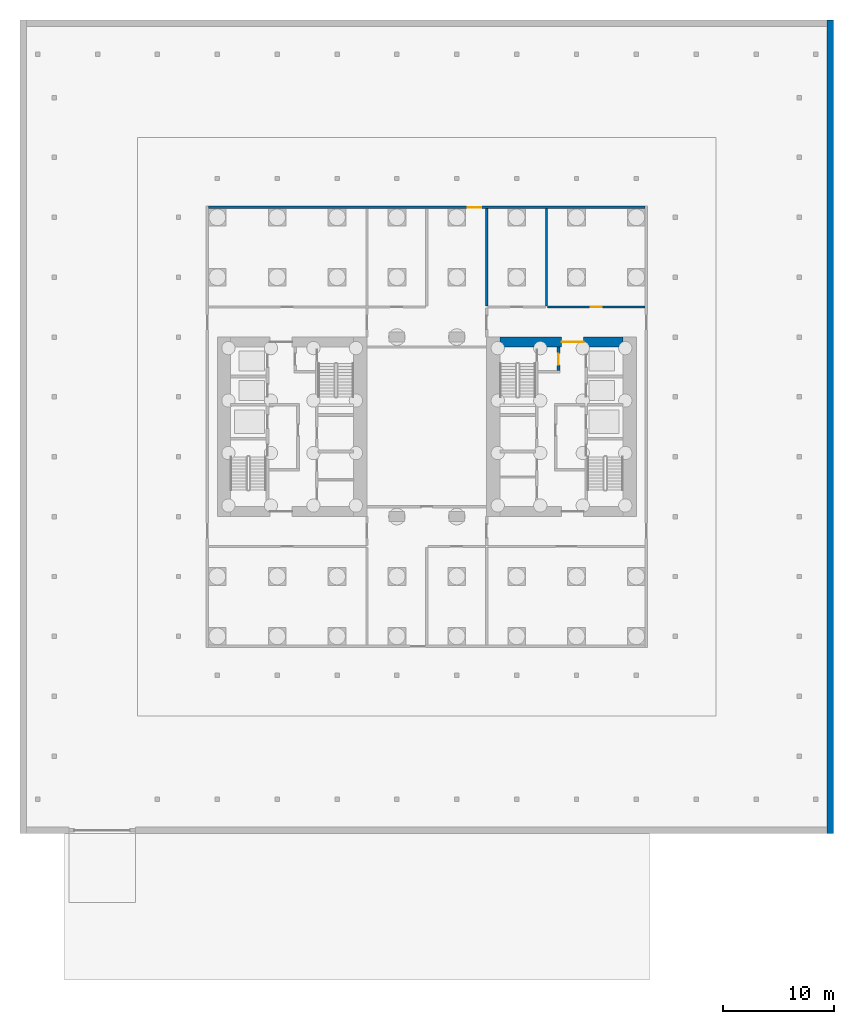
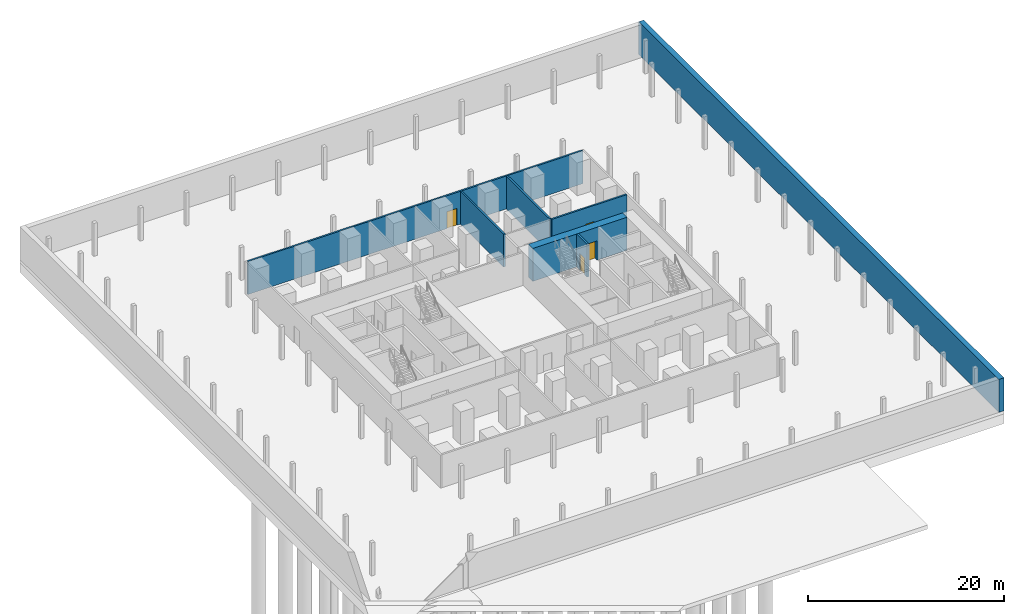
# One storey, part 5 of 8: 7 walls, 4 doors, 4 openings.
"""IFC4 building model written with IfcOpenShell, lengths in metres."""

from ifc_helpers import new_model, si_unit, direction, frame, frame_2d, origin, place, context, subcontext, project, spatial, rectangle, extrude, material, layer, layer_set, type_object, element, fill, save


model = new_model("IFC4")

# Units and contexts
model_context = context("Model", 3, precision=1e-05, world=origin(), true_north=direction((0.0, 1.0)))
body_context = subcontext(model_context, "Body", "Model", "MODEL_VIEW")
ifc_project = project(units=[si_unit("LENGTHUNIT", "METRE"), si_unit("AREAUNIT", "SQUARE_METRE"), si_unit("VOLUMEUNIT", "CUBIC_METRE"), si_unit("PLANEANGLEUNIT", "RADIAN"), si_unit("MASSUNIT", "GRAM", prefix="KILO")], contexts=[model_context])

# Site, building, storey
site_placement = place(None, origin())
site = spatial("IfcSite", under=ifc_project, at=site_placement, CompositionType="ELEMENT")
building_placement = place(site_placement, origin())
building = spatial("IfcBuilding", under=site, at=building_placement, Name="Tabaq Tower and Sports Hall", CompositionType="ELEMENT")
storey_placement = place(building_placement, frame((0.0, 0.0, -9.0)))
storey = spatial("IfcBuildingStorey", under=building, at=storey_placement, Name="B02", CompositionType="ELEMENT", Elevation=-9.0)

# Wall, opening, door
ifc_material_1 = material(Name="Blockwork", Category="masonry")
ifc_layer_1 = layer(ifc_material_1, 0.199951171875)
ifc_layer_set_1 = layer_set([ifc_layer_1], Name="Blockwork Wall 200 EI 120")
wall_type_1 = type_object("IfcWallType", Name="Blockwork Wall 200 EI 120", PredefinedType="PARTITIONING", material=ifc_layer_set_1)
wall_1_placement = place(storey_placement, frame((4.60009765625, 44.10009765625, 0.0), z_axis=(0.0, 0.0, 1.0), x_axis=(1.0, 0.0, 0.0)))
wall_1 = element("IfcWall", 1, at=wall_1_placement, inside=storey, type_object=wall_type_1, Name="Wall B02-02", PredefinedType="PARTITIONING", context=body_context, shape_type="SweptSolid", body=[
    extrude(rectangle(XDim=39.39990234375, YDim=0.199951171875, at=frame_2d((19.699951171875, 0.0))), origin(), (0.0, 0.0, 1.0), 4.10009765625),
])
opening_1_placement = place(wall_1_placement, frame((23.39990234375, 0.0, 0.0)))
opening_1 = element("IfcOpeningElement", 2, at=opening_1_placement, cuts=wall_1, Name="Opening B02-02", PredefinedType="OPENING", context=body_context, shape_type="SweptSolid", body=[
    extrude(rectangle(XDim=1.199951171875, YDim=2.10009765625, at=frame_2d((0.60009765625, 1.050048828125))), frame((0.0, 0.10986328125, 0.0), z_axis=(0.0, -1.0, 0.0), x_axis=(1.0, 0.0, 0.0)), (0.0, 0.0, 1.0), 0.219970703125),
])
ifc_material_2 = material(Name="Hollow metal fire door")
door_type_1 = type_object("IfcDoorType", Name="Basement Door 1200 FD120S", OperationType="SINGLE_SWING_LEFT", PredefinedType="DOOR", material=ifc_material_2)
door_1_placement = place(opening_1_placement, origin())
door_1 = element("IfcDoor", 3, at=door_1_placement, inside=storey, type_object=door_type_1, Name="Door B02-02", OperationType="SINGLE_SWING_LEFT", OverallHeight=2.10009765625, OverallWidth=1.199951171875, PredefinedType="DOOR", context=body_context, shape_type="SweptSolid", body=[
    extrude(rectangle(XDim=1.199951171875, YDim=2.10009765625, at=frame_2d((0.60009765625, 1.050048828125))), frame((0.0, 0.02490234375, 0.0), z_axis=(0.0, -1.0, 0.0), x_axis=(1.0, 0.0, 0.0)), (0.0, 0.0, 1.0), 0.050048828125),
])
fill(opening_1, door_1)

# Walls
for number, where, z_axis, x_axis, name in (
    (4, (29.699951171875, 35.199951171875, 0.0), (0.0, 0.0, 1.0), (0.0, 1.0, 0.0), "Wall B02-10"),
    (5, (35.10009765625, 35.199951171875, 0.0), (0.0, 0.0, 1.0), (0.0, 1.0, 0.0), "Wall B02-11"),
):
    element("IfcWall", number, at=place(storey_placement, frame(where, z_axis=z_axis, x_axis=x_axis)), inside=storey, type_object=wall_type_1, Name=name, PredefinedType="PARTITIONING", context=body_context, shape_type="SweptSolid", body=[
        extrude(rectangle(XDim=8.800048828125, YDim=0.199951171875, at=frame_2d((4.39990234375, 0.0))), origin(), (0.0, 0.0, 1.0), 4.10009765625),
    ])

# Wall, opening, door
wall_2_placement = place(storey_placement, frame((35.199951171875, 35.10009765625, 0.0), z_axis=(0.0, 0.0, 1.0), x_axis=(1.0, 0.0, 0.0)))
wall_2 = element("IfcWall", 6, at=wall_2_placement, inside=storey, type_object=wall_type_1, Name="Wall B02-18", PredefinedType="PARTITIONING", context=body_context, shape_type="SweptSolid", body=[
    extrude(rectangle(XDim=8.800048828125, YDim=0.199951171875, at=frame_2d((4.39990234375, 0.0))), origin(), (0.0, 0.0, 1.0), 4.10009765625),
])
opening_2_placement = place(wall_2_placement, frame((3.89990234375, 0.0, 0.0)))
opening_2 = element("IfcOpeningElement", 7, at=opening_2_placement, cuts=wall_2, Name="Opening B02-13", PredefinedType="OPENING", context=body_context, shape_type="SweptSolid", body=[
    extrude(rectangle(XDim=1.0, YDim=2.10009765625, at=frame_2d((0.5, 1.050048828125))), frame((0.0, 0.10986328125, 0.0), z_axis=(0.0, -1.0, 0.0), x_axis=(1.0, 0.0, 0.0)), (0.0, 0.0, 1.0), 0.219970703125),
])
ifc_material_3 = material(Name="Hollow metal fire door")
door_type_2 = type_object("IfcDoorType", Name="Basement Door 1000 FD120S", OperationType="SINGLE_SWING_LEFT", PredefinedType="DOOR", material=ifc_material_3)
door_2_placement = place(opening_2_placement, origin())
door_2 = element("IfcDoor", 8, at=door_2_placement, inside=storey, type_object=door_type_2, Name="Door B02-13", OperationType="SINGLE_SWING_LEFT", OverallHeight=2.10009765625, OverallWidth=1.0, PredefinedType="DOOR", context=body_context, shape_type="SweptSolid", body=[
    extrude(rectangle(XDim=1.0, YDim=2.10009765625, at=frame_2d((0.5, 1.050048828125))), frame((0.0, 0.02490234375, 0.0), z_axis=(0.0, -1.0, 0.0), x_axis=(1.0, 0.0, 0.0)), (0.0, 0.0, 1.0), 0.050048828125),
])
fill(opening_2, door_2)

ifc_material_4 = material(Name="Concrete C60/75", Category="concrete")
ifc_layer_2 = layer(ifc_material_4, 0.89990234375)
ifc_layer_set_2 = layer_set([ifc_layer_2], Name="Core wall 900 Concrete C60/75")
wall_type_2 = type_object("IfcWallType", Name="Core wall 900 Concrete C60/75", PredefinedType="SOLIDWALL", material=ifc_layer_set_2)
wall_3_placement = place(storey_placement, frame((30.89990234375, 31.949951171875, 0.0), z_axis=(0.0, 0.0, 1.0), x_axis=(1.0, 0.0, 0.0)))
wall_3 = element("IfcWall", 9, at=wall_3_placement, inside=storey, type_object=wall_type_2, Name="Core wall E B02", PredefinedType="SOLIDWALL", context=body_context, shape_type="SweptSolid", body=[
    extrude(rectangle(XDim=11.10009765625, YDim=0.89990234375, at=frame_2d((5.550048828125, 0.0))), origin(), (0.0, 0.0, 1.0), 4.10009765625),
])
opening_3_placement = place(wall_3_placement, frame((5.550048828125, 0.0, 0.0)))
opening_3 = element("IfcOpeningElement", 10, at=opening_3_placement, cuts=wall_3, Name="Opening PD-EB02-02", PredefinedType="OPENING", context=body_context, shape_type="SweptSolid", body=[
    extrude(rectangle(XDim=2.0, YDim=2.39990234375, at=frame_2d((1.0, 1.199951171875))), frame((0.0, 0.449951171875, 0.0), z_axis=(0.0, -1.0, 0.0), x_axis=(1.0, 0.0, 0.0)), (0.0, 0.0, 1.0), 0.89990234375),
])
ifc_material_5 = material(Name="Steel fire door", Category="steel")
door_type_3 = type_object("IfcDoorType", Name="Core entrance door 2000", OperationType="DOUBLE_DOOR_SINGLE_SWING", PredefinedType="DOOR", material=ifc_material_5)
door_3_placement = place(opening_3_placement, origin())
door_3 = element("IfcDoor", 11, at=door_3_placement, inside=storey, type_object=door_type_3, Name="Core entrance north E B02", OperationType="DOUBLE_DOOR_SINGLE_SWING", OverallHeight=2.39990234375, OverallWidth=2.0, PredefinedType="DOOR", context=body_context, shape_type="SweptSolid", body=[
    extrude(rectangle(XDim=2.0, YDim=2.39990234375, at=frame_2d((1.0, 1.199951171875))), frame((0.0, 0.02490234375, 0.0), z_axis=(0.0, -1.0, 0.0), x_axis=(1.0, 0.0, 0.0)), (0.0, 0.0, 1.0), 0.050048828125),
])
fill(opening_3, door_3)

# Wall
ifc_material_6 = material(Name="Concrete C60/75", Category="concrete")
ifc_layer_3 = layer(ifc_material_6, 0.60009765625)
ifc_layer_set_3 = layer_set([ifc_layer_3], Name="RC RETAINING WALL 600 C60/75")
wall_type_3 = type_object("IfcWallType", Name="RC RETAINING WALL 600 C60/75", PredefinedType="SOLIDWALL", material=ifc_layer_set_3)
wall_4_placement = place(storey_placement, frame((60.699951171875, -12.39990234375, 0.0), z_axis=(0.0, 0.0, 1.0), x_axis=(0.0, 1.0, 0.0)))
element("IfcWall", 12, at=wall_4_placement, inside=storey, type_object=wall_type_3, Name="Retaining Wall East B02", PredefinedType="SOLIDWALL", context=body_context, shape_type="SweptSolid", body=[
    extrude(rectangle(XDim=73.39990234375, YDim=0.60009765625, at=frame_2d((36.699951171875, 0.0))), origin(), (0.0, 0.0, 1.0), 4.10009765625),
])

# Wall, opening, door
ifc_material_7 = material(Name="Concrete C40/50", Category="concrete")
ifc_layer_4 = layer(ifc_material_7, 0.25)
ifc_layer_set_4 = layer_set([ifc_layer_4], Name="Shaft and stair wall 250 Concrete C40/50")
wall_type_4 = type_object("IfcWallType", Name="Shaft and stair wall 250 Concrete C40/50", PredefinedType="SOLIDWALL", material=ifc_layer_set_4)
wall_5_placement = place(storey_placement, frame((36.175048828125, 29.39990234375, 0.0), z_axis=(0.0, 0.0, 1.0), x_axis=(0.0, 1.0, 0.0)))
wall_5 = element("IfcWall", 13, at=wall_5_placement, inside=storey, type_object=wall_type_4, Name="Fire-fighting lobby wall E B02", PredefinedType="SOLIDWALL", context=body_context, shape_type="SweptSolid", body=[
    extrude(rectangle(XDim=2.10009765625, YDim=0.25, at=frame_2d((1.050048828125, 0.0))), origin(), (0.0, 0.0, 1.0), 4.10009765625),
])
opening_4_placement = place(wall_5_placement, frame((0.5, 0.0, 0.0)))
opening_4 = element("IfcOpeningElement", 14, at=opening_4_placement, cuts=wall_5, Name="Opening FD-EB02-06", PredefinedType="OPENING", context=body_context, shape_type="SweptSolid", body=[
    extrude(rectangle(XDim=1.0, YDim=2.10009765625, at=frame_2d((0.5, 1.050048828125))), frame((0.0, 0.125, 0.0), z_axis=(0.0, -1.0, 0.0), x_axis=(1.0, 0.0, 0.0)), (0.0, 0.0, 1.0), 0.25),
])
ifc_material_8 = material(Name="Steel fire door", Category="steel")
door_type_4 = type_object("IfcDoorType", Name="Fire-fighting lobby door 1000", OperationType="SINGLE_SWING_LEFT", PredefinedType="DOOR", material=ifc_material_8)
door_4_placement = place(opening_4_placement, origin())
door_4 = element("IfcDoor", 15, at=door_4_placement, inside=storey, type_object=door_type_4, Name="Stair lobby door E B02", OperationType="SINGLE_SWING_LEFT", OverallHeight=2.10009765625, OverallWidth=1.0, PredefinedType="DOOR", context=body_context, shape_type="SweptSolid", body=[
    extrude(rectangle(XDim=1.0, YDim=2.10009765625, at=frame_2d((0.5, 1.050048828125))), frame((0.0, 0.02490234375, 0.0), z_axis=(0.0, -1.0, 0.0), x_axis=(1.0, 0.0, 0.0)), (0.0, 0.0, 1.0), 0.050048828125),
])
fill(opening_4, door_4)

save(model, "model.ifc")
